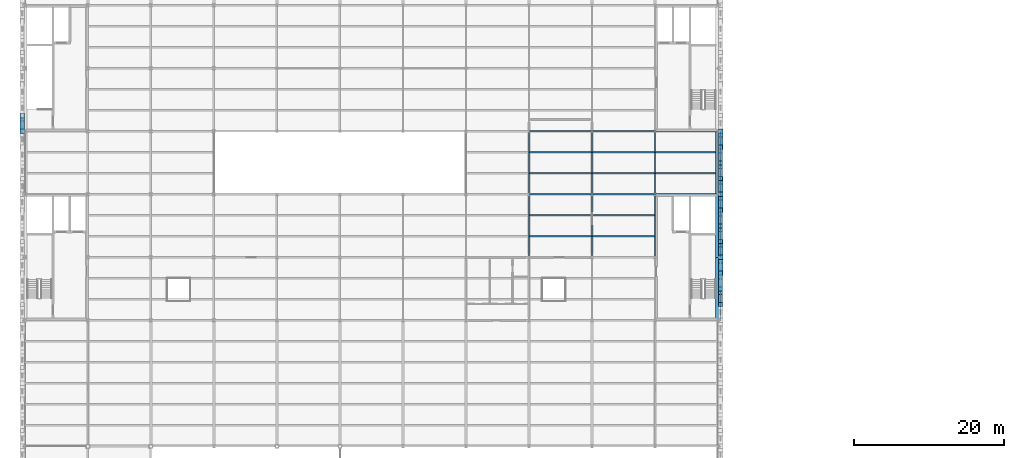
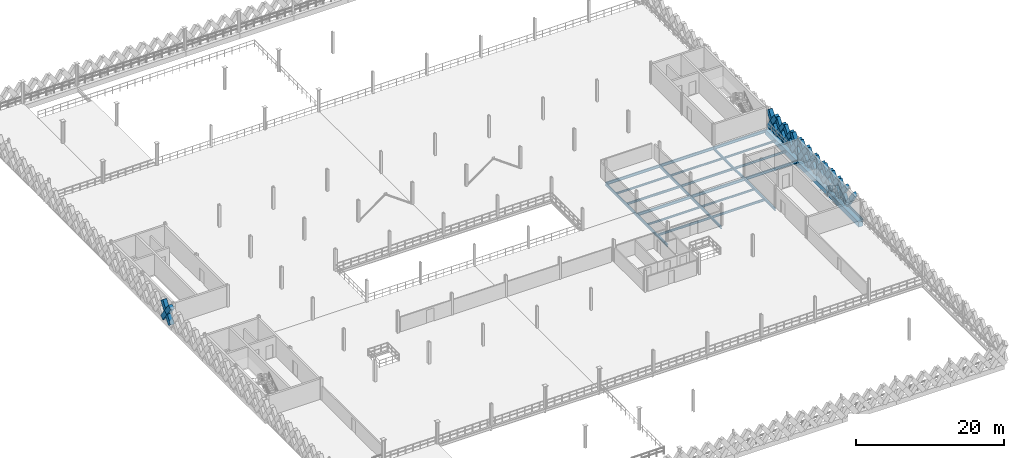
# One storey, part 20 of 47: 38 members, 25 beams.
"""IFC4 building model written with IfcOpenShell, lengths in metres."""

from ifc_helpers import new_model, si_unit, direction, frame, origin, origin_2d, place, context, subcontext, project, spatial, rectangle, hollow_rectangle, i_section, extrude, material, material_profile, profile_set, type_object, element, save


model = new_model("IFC4")

# Units and contexts
model_context = context("Model", 3, precision=1e-05, world=origin(), true_north=direction((0.0, 1.0)))
body_context = subcontext(model_context, "Body", "Model", "MODEL_VIEW")
ifc_project = project(units=[si_unit("LENGTHUNIT", "METRE"), si_unit("AREAUNIT", "SQUARE_METRE"), si_unit("VOLUMEUNIT", "CUBIC_METRE"), si_unit("PLANEANGLEUNIT", "RADIAN"), si_unit("MASSUNIT", "GRAM", prefix="KILO"), si_unit("THERMODYNAMICTEMPERATUREUNIT", "KELVIN"), si_unit("POWERUNIT", "WATT")], contexts=[model_context])

# Site, building, storey
site_placement = place(None, origin())
site = spatial("IfcSite", under=ifc_project, at=site_placement, CompositionType="ELEMENT")
building_placement = place(site_placement, origin())
building = spatial("IfcBuilding", under=site, at=building_placement, Name="Tembeka Court Mobility Hub", CompositionType="ELEMENT")
storey_placement = place(building_placement, frame((0.0, 0.0, 19.800048828125)))
storey = spatial("IfcBuildingStorey", under=building, at=storey_placement, Name="L05", CompositionType="ELEMENT", Elevation=19.800048828125)

# Beams
ifc_material_1 = material(Name="Steel S355", Category="steel")
ifc_material_profile_1 = material_profile(ifc_material_1, i_section(OverallWidth=0.18994140625, OverallDepth=0.45703125, WebThickness=0.009033203125, FlangeThickness=0.014404296875, FilletRadius=0.01025390625, at=origin_2d()), Name="UKB 457x191x74")
ifc_profile_set_1 = profile_set([ifc_material_profile_1], Name="Steel S355")
beam_type_1 = type_object("IfcBeamType", Name="BM-B01", PredefinedType="BEAM", material=ifc_profile_set_1)
beam_1_placement = place(storey_placement, frame((67.199951171875, 55.199951171875, -0.448486328125), z_axis=(1.0, 0.0, 0.0), x_axis=(0.0, 1.0, 0.0)))
element("IfcBeam", 1, at=beam_1_placement, inside=storey, type_object=beam_type_1, Name="Beam B01 (BM-L05-X2719)", PredefinedType="BEAM", context=body_context, shape_type="SweptSolid", body=[
    extrude(i_section(OverallWidth=0.18994140625, OverallDepth=0.45703125, WebThickness=0.009033203125, FlangeThickness=0.014404296875, FilletRadius=0.01025390625, at=origin_2d()), origin(), (0.0, 0.0, 1.0), 8.400146484375),
])
for number, where, z_axis, x_axis, name in (
    (2, (75.60009765625, 55.199951171875, -0.448486328125), (1.0, 0.0, 0.0), (0.0, 1.0, 0.0), "Beam B01 (BM-L05-X2720)"),
    (3, (84.0, 55.199951171875, -0.448486328125), (1.0, 0.0, 0.0), (0.0, 1.0, 0.0), "Beam B01 (BM-L05-X2721)"),
):
    element("IfcBeam", number, at=place(storey_placement, frame(where, z_axis=z_axis, x_axis=x_axis)), inside=storey, type_object=beam_type_1, Name=name, PredefinedType="BEAM", context=body_context, shape_type="SweptSolid", body=[
        extrude(i_section(OverallWidth=0.18994140625, OverallDepth=0.45703125, WebThickness=0.009033203125, FlangeThickness=0.014404296875, FilletRadius=0.01025390625, at=origin_2d()), origin(), (0.0, 0.0, 1.0), 8.39990234375),
    ])
beam_2_placement = place(storey_placement, frame((67.199951171875, 63.60009765625, -0.448486328125), z_axis=(1.0, 0.0, 0.0), x_axis=(0.0, 1.0, 0.0)))
element("IfcBeam", 4, at=beam_2_placement, inside=storey, type_object=beam_type_1, Name="Beam B01 (BM-L05-X2730)", PredefinedType="BEAM", context=body_context, shape_type="SweptSolid", body=[
    extrude(i_section(OverallWidth=0.18994140625, OverallDepth=0.45703125, WebThickness=0.009033203125, FlangeThickness=0.014404296875, FilletRadius=0.01025390625, at=origin_2d()), origin(), (0.0, 0.0, 1.0), 8.400146484375),
])
for number, where, z_axis, x_axis, name in (
    (5, (75.60009765625, 63.60009765625, -0.448486328125), (1.0, 0.0, 0.0), (0.0, 1.0, 0.0), "Beam B01 (BM-L05-X2731)"),
    (6, (84.0, 63.60009765625, -0.448486328125), (1.0, 0.0, 0.0), (0.0, 1.0, 0.0), "Beam B01 (BM-L05-X2732)"),
):
    element("IfcBeam", number, at=place(storey_placement, frame(where, z_axis=z_axis, x_axis=x_axis)), inside=storey, type_object=beam_type_1, Name=name, PredefinedType="BEAM", context=body_context, shape_type="SweptSolid", body=[
        extrude(i_section(OverallWidth=0.18994140625, OverallDepth=0.45703125, WebThickness=0.009033203125, FlangeThickness=0.014404296875, FilletRadius=0.01025390625, at=origin_2d()), origin(), (0.0, 0.0, 1.0), 8.39990234375),
    ])
ifc_material_profile_2 = material_profile(ifc_material_1, i_section(OverallWidth=0.177978515625, OverallDepth=0.406005859375, WebThickness=0.0078125, FlangeThickness=0.0126953125, FilletRadius=0.01025390625, at=origin_2d()), Name="UKB 406x178x60")
ifc_profile_set_2 = profile_set([ifc_material_profile_2], Name="Steel S355")
beam_type_2 = type_object("IfcBeamType", Name="BM-B02", PredefinedType="BEAM", material=ifc_profile_set_2)
beam_3_placement = place(storey_placement, frame((67.199951171875, 46.800048828125, -0.423095703125), z_axis=(0.0, 1.0, 0.0), x_axis=(-1.0, 0.0, 0.0)))
element("IfcBeam", 7, at=beam_3_placement, inside=storey, type_object=beam_type_2, Name="Beam B02 (BM-L05-Y2843)", PredefinedType="BEAM", context=body_context, shape_type="SweptSolid", body=[
    extrude(i_section(OverallWidth=0.177978515625, OverallDepth=0.406005859375, WebThickness=0.0078125, FlangeThickness=0.0126953125, FilletRadius=0.01025390625, at=origin_2d()), origin(), (0.0, 0.0, 1.0), 8.39990234375),
])
beam_4_placement = place(storey_placement, frame((67.199951171875, 55.199951171875, -0.423095703125), z_axis=(0.0, 1.0, 0.0), x_axis=(-1.0, 0.0, 0.0)))
element("IfcBeam", 8, at=beam_4_placement, inside=storey, type_object=beam_type_2, Name="Beam B02 (BM-L05-Y2844)", PredefinedType="BEAM", context=body_context, shape_type="SweptSolid", body=[
    extrude(i_section(OverallWidth=0.177978515625, OverallDepth=0.406005859375, WebThickness=0.0078125, FlangeThickness=0.0126953125, FilletRadius=0.01025390625, at=origin_2d()), origin(), (0.0, 0.0, 1.0), 8.400146484375),
])
beam_5_placement = place(storey_placement, frame((75.60009765625, 46.800048828125, -0.423095703125), z_axis=(0.0, 1.0, 0.0), x_axis=(-1.0, 0.0, 0.0)))
element("IfcBeam", 9, at=beam_5_placement, inside=storey, type_object=beam_type_2, Name="Beam B02 (BM-L05-Y2850)", PredefinedType="BEAM", context=body_context, shape_type="SweptSolid", body=[
    extrude(i_section(OverallWidth=0.177978515625, OverallDepth=0.406005859375, WebThickness=0.0078125, FlangeThickness=0.0126953125, FilletRadius=0.01025390625, at=origin_2d()), origin(), (0.0, 0.0, 1.0), 8.39990234375),
])
beam_6_placement = place(storey_placement, frame((75.60009765625, 55.199951171875, -0.423095703125), z_axis=(0.0, 1.0, 0.0), x_axis=(-1.0, 0.0, 0.0)))
element("IfcBeam", 10, at=beam_6_placement, inside=storey, type_object=beam_type_2, Name="Beam B02 (BM-L05-Y2851)", PredefinedType="BEAM", context=body_context, shape_type="SweptSolid", body=[
    extrude(i_section(OverallWidth=0.177978515625, OverallDepth=0.406005859375, WebThickness=0.0078125, FlangeThickness=0.0126953125, FilletRadius=0.01025390625, at=origin_2d()), origin(), (0.0, 0.0, 1.0), 8.400146484375),
])
beam_7_placement = place(storey_placement, frame((84.0, 46.800048828125, -0.423095703125), z_axis=(0.0, 1.0, 0.0), x_axis=(-1.0, 0.0, 0.0)))
element("IfcBeam", 11, at=beam_7_placement, inside=storey, type_object=beam_type_2, Name="Beam B02 (BM-L05-Y2857)", PredefinedType="BEAM", context=body_context, shape_type="SweptSolid", body=[
    extrude(i_section(OverallWidth=0.177978515625, OverallDepth=0.406005859375, WebThickness=0.0078125, FlangeThickness=0.0126953125, FilletRadius=0.01025390625, at=origin_2d()), origin(), (0.0, 0.0, 1.0), 8.39990234375),
])
beam_8_placement = place(storey_placement, frame((84.0, 55.199951171875, -0.423095703125), z_axis=(0.0, 1.0, 0.0), x_axis=(-1.0, 0.0, 0.0)))
element("IfcBeam", 12, at=beam_8_placement, inside=storey, type_object=beam_type_2, Name="Beam B02 (BM-L05-Y2858)", PredefinedType="BEAM", context=body_context, shape_type="SweptSolid", body=[
    extrude(i_section(OverallWidth=0.177978515625, OverallDepth=0.406005859375, WebThickness=0.0078125, FlangeThickness=0.0126953125, FilletRadius=0.01025390625, at=origin_2d()), origin(), (0.0, 0.0, 1.0), 8.400146484375),
])
ifc_material_profile_3 = material_profile(ifc_material_1, i_section(OverallWidth=0.1650390625, OverallDepth=0.303955078125, WebThickness=0.006103515625, FlangeThickness=0.01025390625, FilletRadius=0.0087890625, at=origin_2d()), Name="UKB 305x165x40")
ifc_profile_set_3 = profile_set([ifc_material_profile_3], Name="Steel S355")
beam_type_3 = type_object("IfcBeamType", Name="BM-J02", PredefinedType="JOIST", material=ifc_profile_set_3)
for number, where, z_axis, x_axis, name in (
    (13, (67.283935546875, 52.39990234375, -0.3720703125), (1.0, 0.0, 0.0), (0.0, 1.0, 0.0), "Beam J02 (JST-L05-3033)"),
    (14, (67.283935546875, 60.800048828125, -0.3720703125), (1.0, 0.0, 0.0), (0.0, 1.0, 0.0), "Beam J02 (JST-L05-3035)"),
):
    element("IfcBeam", number, at=place(storey_placement, frame(where, z_axis=z_axis, x_axis=x_axis)), inside=storey, type_object=beam_type_3, Name=name, PredefinedType="JOIST", context=body_context, shape_type="SweptSolid", body=[
        extrude(i_section(OverallWidth=0.1650390625, OverallDepth=0.303955078125, WebThickness=0.006103515625, FlangeThickness=0.01025390625, FilletRadius=0.0087890625, at=origin_2d()), origin(), (0.0, 0.0, 1.0), 8.232177734375),
    ])
for number, where, z_axis, x_axis, name in (
    (15, (75.68408203125, 52.39990234375, -0.3720703125), (1.0, 0.0, 0.0), (0.0, 1.0, 0.0), "Beam J02 (JST-L05-3053)"),
    (16, (75.68408203125, 60.800048828125, -0.3720703125), (1.0, 0.0, 0.0), (0.0, 1.0, 0.0), "Beam J02 (JST-L05-3055)"),
):
    element("IfcBeam", number, at=place(storey_placement, frame(where, z_axis=z_axis, x_axis=x_axis)), inside=storey, type_object=beam_type_3, Name=name, PredefinedType="JOIST", context=body_context, shape_type="SweptSolid", body=[
        extrude(i_section(OverallWidth=0.1650390625, OverallDepth=0.303955078125, WebThickness=0.006103515625, FlangeThickness=0.01025390625, FilletRadius=0.0087890625, at=origin_2d()), origin(), (0.0, 0.0, 1.0), 8.23193359375),
    ])
beam_9_placement = place(storey_placement, frame((84.083984375, 60.800048828125, -0.3720703125), z_axis=(1.0, 0.0, 0.0), x_axis=(0.0, 1.0, 0.0)))
element("IfcBeam", 17, at=beam_9_placement, inside=storey, type_object=beam_type_3, Name="Beam J02 (JST-L05-3071)", PredefinedType="JOIST", context=body_context, shape_type="SweptSolid", body=[
    extrude(i_section(OverallWidth=0.1650390625, OverallDepth=0.303955078125, WebThickness=0.006103515625, FlangeThickness=0.01025390625, FilletRadius=0.0087890625, at=origin_2d()), origin(), (0.0, 0.0, 1.0), 7.99609375),
])
ifc_material_profile_4 = material_profile(ifc_material_1, i_section(OverallWidth=0.169921875, OverallDepth=0.360107421875, WebThickness=0.008056640625, FlangeThickness=0.0126953125, FilletRadius=0.01806640625, at=origin_2d()), Name="IPE 360")
ifc_profile_set_4 = profile_set([ifc_material_profile_4], Name="Steel S355")
beam_type_4 = type_object("IfcBeamType", Name="BM-J03", PredefinedType="JOIST", material=ifc_profile_set_4)
for number, where, z_axis, x_axis, name in (
    (18, (67.283935546875, 49.60009765625, -0.400146484375), (1.0, 0.0, 0.0), (0.0, 1.0, 0.0), "Beam J03 (JST-L05-3032)"),
    (19, (67.283935546875, 58.0, -0.400146484375), (1.0, 0.0, 0.0), (0.0, 1.0, 0.0), "Beam J03 (JST-L05-3034)"),
):
    element("IfcBeam", number, at=place(storey_placement, frame(where, z_axis=z_axis, x_axis=x_axis)), inside=storey, type_object=beam_type_4, Name=name, PredefinedType="JOIST", context=body_context, shape_type="SweptSolid", body=[
        extrude(i_section(OverallWidth=0.169921875, OverallDepth=0.360107421875, WebThickness=0.008056640625, FlangeThickness=0.0126953125, FilletRadius=0.01806640625, at=origin_2d()), origin(), (0.0, 0.0, 1.0), 8.232177734375),
    ])
for number, where, z_axis, x_axis, name in (
    (20, (75.68408203125, 49.60009765625, -0.400146484375), (1.0, 0.0, 0.0), (0.0, 1.0, 0.0), "Beam J03 (JST-L05-3052)"),
    (21, (75.68408203125, 58.0, -0.400146484375), (1.0, 0.0, 0.0), (0.0, 1.0, 0.0), "Beam J03 (JST-L05-3054)"),
):
    element("IfcBeam", number, at=place(storey_placement, frame(where, z_axis=z_axis, x_axis=x_axis)), inside=storey, type_object=beam_type_4, Name=name, PredefinedType="JOIST", context=body_context, shape_type="SweptSolid", body=[
        extrude(i_section(OverallWidth=0.169921875, OverallDepth=0.360107421875, WebThickness=0.008056640625, FlangeThickness=0.0126953125, FilletRadius=0.01806640625, at=origin_2d()), origin(), (0.0, 0.0, 1.0), 8.23193359375),
    ])
beam_10_placement = place(storey_placement, frame((84.083984375, 58.0, -0.400146484375), z_axis=(1.0, 0.0, 0.0), x_axis=(0.0, 1.0, 0.0)))
element("IfcBeam", 22, at=beam_10_placement, inside=storey, type_object=beam_type_4, Name="Beam J03 (JST-L05-3070)", PredefinedType="JOIST", context=body_context, shape_type="SweptSolid", body=[
    extrude(i_section(OverallWidth=0.169921875, OverallDepth=0.360107421875, WebThickness=0.008056640625, FlangeThickness=0.0126953125, FilletRadius=0.01806640625, at=origin_2d()), origin(), (0.0, 0.0, 1.0), 7.99609375),
])
ifc_material_2 = material(Name="Precast concrete C45/55", Category="concrete")
ifc_material_profile_5 = material_profile(ifc_material_2, rectangle(XDim=0.64990234375, YDim=0.800048828125, at=origin_2d()), Name="PC-SP 650x800")
ifc_profile_set_5 = profile_set([ifc_material_profile_5], Name="Precast concrete C45/55")
beam_type_5 = type_object("IfcBeamType", Name="BM-SP01", PredefinedType="SPANDREL", material=ifc_profile_set_5)
beam_11_placement = place(storey_placement, frame((92.39990234375, 38.39990234375, -0.6201171875), z_axis=(0.0, 1.0, 0.0), x_axis=(-1.0, 0.0, 0.0)))
element("IfcBeam", 23, at=beam_11_placement, inside=storey, type_object=beam_type_5, Name="Beam SP01 (BM-L05-Y2865)", PredefinedType="SPANDREL", context=body_context, shape_type="SweptSolid", body=[
    extrude(rectangle(XDim=0.64990234375, YDim=0.800048828125, at=origin_2d()), origin(), (0.0, 0.0, 1.0), 8.400146484375),
])
beam_12_placement = place(storey_placement, frame((92.39990234375, 46.800048828125, -0.6201171875), z_axis=(0.0, 1.0, 0.0), x_axis=(-1.0, 0.0, 0.0)))
element("IfcBeam", 24, at=beam_12_placement, inside=storey, type_object=beam_type_5, Name="Beam SP01 (BM-L05-Y2866)", PredefinedType="SPANDREL", context=body_context, shape_type="SweptSolid", body=[
    extrude(rectangle(XDim=0.64990234375, YDim=0.800048828125, at=origin_2d()), origin(), (0.0, 0.0, 1.0), 8.39990234375),
])
beam_13_placement = place(storey_placement, frame((92.39990234375, 55.199951171875, -0.6201171875), z_axis=(0.0, 1.0, 0.0), x_axis=(-1.0, 0.0, 0.0)))
element("IfcBeam", 25, at=beam_13_placement, inside=storey, type_object=beam_type_5, Name="Beam SP01 (BM-L05-Y2867)", PredefinedType="SPANDREL", context=body_context, shape_type="SweptSolid", body=[
    extrude(rectangle(XDim=0.64990234375, YDim=0.800048828125, at=origin_2d()), origin(), (0.0, 0.0, 1.0), 8.400146484375),
])

# Members
ifc_material_profile_6 = material_profile(ifc_material_2, rectangle(XDim=0.5, YDim=0.64990234375, at=origin_2d()), Name="PC-DIAG 500x650")
ifc_profile_set_6 = profile_set([ifc_material_profile_6], Name="Precast concrete C45/55")
member_type_1 = type_object("IfcMemberType", Name="MEM-DL01", PredefinedType="BRACE", material=ifc_profile_set_6)
member_1_placement = place(storey_placement, frame((92.739990234375, 42.60009765625, 0.02001953125), z_axis=(0.0, -0.582608431711, 0.812752985414), x_axis=(1.0, 0.0, 0.0)))
element("IfcMember", 26, at=member_1_placement, inside=storey, type_object=member_type_1, Name="Precast diamond lattice split lower strand DL01 (L05-952D1)", PredefinedType="BRACE", context=body_context, shape_type="SweptSolid", body=[
    extrude(rectangle(XDim=0.5, YDim=0.64990234375, at=origin_2d()), origin(), (0.0, 0.0, 1.0), 1.80224609375),
])
member_2_placement = place(storey_placement, frame((92.739990234375, 41.550048828125, 1.48486328125), z_axis=(0.0, -0.582544294934, 0.812798956963), x_axis=(1.0, 0.0, 0.0)))
element("IfcMember", 27, at=member_2_placement, inside=storey, type_object=member_type_1, Name="Precast diamond lattice split upper strand DL01 (L05-952D2)", PredefinedType="BRACE", context=body_context, shape_type="SweptSolid", body=[
    extrude(rectangle(XDim=0.5, YDim=0.64990234375, at=origin_2d()), origin(), (0.0, 0.0, 1.0), 1.802490234375),
])
member_3_placement = place(storey_placement, frame((92.739990234375, 42.60009765625, 0.02001953125), z_axis=(0.0, 0.58253161945, 0.812808041509), x_axis=(-1.0, 0.0, 0.0)))
element("IfcMember", 28, at=member_3_placement, inside=storey, type_object=member_type_1, Name="Precast diamond lattice continuous strand DL01 (L05-953C)", PredefinedType="BRACE", context=body_context, shape_type="SweptSolid", body=[
    extrude(rectangle(XDim=0.5, YDim=0.64990234375, at=origin_2d()), origin(), (0.0, 0.0, 1.0), 3.604736328125),
])
member_4_placement = place(storey_placement, frame((92.739990234375, 44.699951171875, 0.02001953125), z_axis=(0.0, -0.582608431711, 0.812752985414), x_axis=(1.0, 0.0, 0.0)))
element("IfcMember", 29, at=member_4_placement, inside=storey, type_object=member_type_1, Name="Precast diamond lattice split lower strand DL01 (L05-953D1)", PredefinedType="BRACE", context=body_context, shape_type="SweptSolid", body=[
    extrude(rectangle(XDim=0.5, YDim=0.64990234375, at=origin_2d()), origin(), (0.0, 0.0, 1.0), 1.80224609375),
])
member_5_placement = place(storey_placement, frame((92.739990234375, 43.64990234375, 1.48486328125), z_axis=(0.0, -0.582454804382, 0.812863088627), x_axis=(1.0, 0.0, 0.0)))
element("IfcMember", 30, at=member_5_placement, inside=storey, type_object=member_type_1, Name="Precast diamond lattice split upper strand DL01 (L05-953D2)", PredefinedType="BRACE", context=body_context, shape_type="SweptSolid", body=[
    extrude(rectangle(XDim=0.5, YDim=0.64990234375, at=origin_2d()), origin(), (0.0, 0.0, 1.0), 1.802490234375),
])
member_6_placement = place(storey_placement, frame((92.739990234375, 48.89990234375, 0.02001953125), z_axis=(0.0, 0.582576362011, 0.812775973086), x_axis=(-1.0, 0.0, 0.0)))
element("IfcMember", 31, at=member_6_placement, inside=storey, type_object=member_type_1, Name="Precast diamond lattice continuous strand DL01 (L05-956C)", PredefinedType="BRACE", context=body_context, shape_type="SweptSolid", body=[
    extrude(rectangle(XDim=0.5, YDim=0.64990234375, at=origin_2d()), origin(), (0.0, 0.0, 1.0), 3.604736328125),
])
member_7_placement = place(storey_placement, frame((92.739990234375, 51.0, 0.02001953125), z_axis=(0.0, -0.582608431711, 0.812752985414), x_axis=(1.0, 0.0, 0.0)))
element("IfcMember", 32, at=member_7_placement, inside=storey, type_object=member_type_1, Name="Precast diamond lattice split lower strand DL01 (L05-956D1)", PredefinedType="BRACE", context=body_context, shape_type="SweptSolid", body=[
    extrude(rectangle(XDim=0.5, YDim=0.64990234375, at=origin_2d()), origin(), (0.0, 0.0, 1.0), 1.80224609375),
])
member_8_placement = place(storey_placement, frame((92.739990234375, 49.949951171875, 1.48486328125), z_axis=(0.0, -0.582544294934, 0.812798956963), x_axis=(1.0, 0.0, 0.0)))
element("IfcMember", 33, at=member_8_placement, inside=storey, type_object=member_type_1, Name="Precast diamond lattice split upper strand DL01 (L05-956D2)", PredefinedType="BRACE", context=body_context, shape_type="SweptSolid", body=[
    extrude(rectangle(XDim=0.5, YDim=0.64990234375, at=origin_2d()), origin(), (0.0, 0.0, 1.0), 1.802490234375),
])
member_9_placement = place(storey_placement, frame((92.739990234375, 51.0, 0.02001953125), z_axis=(0.0, 0.582576362011, 0.812775973086), x_axis=(-1.0, 0.0, 0.0)))
element("IfcMember", 34, at=member_9_placement, inside=storey, type_object=member_type_1, Name="Precast diamond lattice continuous strand DL01 (L05-957C)", PredefinedType="BRACE", context=body_context, shape_type="SweptSolid", body=[
    extrude(rectangle(XDim=0.5, YDim=0.64990234375, at=origin_2d()), origin(), (0.0, 0.0, 1.0), 3.604736328125),
])
member_10_placement = place(storey_placement, frame((92.739990234375, 53.10009765625, 0.02001953125), z_axis=(0.0, -0.582608431711, 0.812752985414), x_axis=(1.0, 0.0, 0.0)))
element("IfcMember", 35, at=member_10_placement, inside=storey, type_object=member_type_1, Name="Precast diamond lattice split lower strand DL01 (L05-957D1)", PredefinedType="BRACE", context=body_context, shape_type="SweptSolid", body=[
    extrude(rectangle(XDim=0.5, YDim=0.64990234375, at=origin_2d()), origin(), (0.0, 0.0, 1.0), 1.80224609375),
])
member_11_placement = place(storey_placement, frame((92.739990234375, 52.050048828125, 1.48486328125), z_axis=(0.0, -0.582544294934, 0.812798956963), x_axis=(1.0, 0.0, 0.0)))
element("IfcMember", 36, at=member_11_placement, inside=storey, type_object=member_type_1, Name="Precast diamond lattice split upper strand DL01 (L05-957D2)", PredefinedType="BRACE", context=body_context, shape_type="SweptSolid", body=[
    extrude(rectangle(XDim=0.5, YDim=0.64990234375, at=origin_2d()), origin(), (0.0, 0.0, 1.0), 1.802490234375),
])
member_12_placement = place(storey_placement, frame((92.739990234375, 57.300048828125, 0.02001953125), z_axis=(0.0, 0.58253161945, 0.812808041509), x_axis=(-1.0, 0.0, 0.0)))
element("IfcMember", 37, at=member_12_placement, inside=storey, type_object=member_type_1, Name="Precast diamond lattice continuous strand DL01 (L05-960C)", PredefinedType="BRACE", context=body_context, shape_type="SweptSolid", body=[
    extrude(rectangle(XDim=0.5, YDim=0.64990234375, at=origin_2d()), origin(), (0.0, 0.0, 1.0), 3.604736328125),
])
member_13_placement = place(storey_placement, frame((92.739990234375, 59.39990234375, 0.02001953125), z_axis=(0.0, -0.582518941428, 0.812817127574), x_axis=(1.0, 0.0, 0.0)))
element("IfcMember", 38, at=member_13_placement, inside=storey, type_object=member_type_1, Name="Precast diamond lattice split lower strand DL01 (L05-960D1)", PredefinedType="BRACE", context=body_context, shape_type="SweptSolid", body=[
    extrude(rectangle(XDim=0.5, YDim=0.64990234375, at=origin_2d()), origin(), (0.0, 0.0, 1.0), 1.80224609375),
])
member_14_placement = place(storey_placement, frame((92.739990234375, 58.35009765625, 1.48486328125), z_axis=(0.0, -0.582544294934, 0.812798956963), x_axis=(1.0, 0.0, 0.0)))
element("IfcMember", 39, at=member_14_placement, inside=storey, type_object=member_type_1, Name="Precast diamond lattice split upper strand DL01 (L05-960D2)", PredefinedType="BRACE", context=body_context, shape_type="SweptSolid", body=[
    extrude(rectangle(XDim=0.5, YDim=0.64990234375, at=origin_2d()), origin(), (0.0, 0.0, 1.0), 1.802490234375),
])
member_15_placement = place(storey_placement, frame((92.739990234375, 59.39990234375, 0.02001953125), z_axis=(0.0, 0.582576362011, 0.812775973086), x_axis=(-1.0, 0.0, 0.0)))
element("IfcMember", 40, at=member_15_placement, inside=storey, type_object=member_type_1, Name="Precast diamond lattice continuous strand DL01 (L05-961C)", PredefinedType="BRACE", context=body_context, shape_type="SweptSolid", body=[
    extrude(rectangle(XDim=0.5, YDim=0.64990234375, at=origin_2d()), origin(), (0.0, 0.0, 1.0), 3.604736328125),
])
member_16_placement = place(storey_placement, frame((92.739990234375, 61.5, 0.02001953125), z_axis=(0.0, -0.582608431711, 0.812752985414), x_axis=(1.0, 0.0, 0.0)))
element("IfcMember", 41, at=member_16_placement, inside=storey, type_object=member_type_1, Name="Precast diamond lattice split lower strand DL01 (L05-961D1)", PredefinedType="BRACE", context=body_context, shape_type="SweptSolid", body=[
    extrude(rectangle(XDim=0.5, YDim=0.64990234375, at=origin_2d()), origin(), (0.0, 0.0, 1.0), 1.80224609375),
])
member_17_placement = place(storey_placement, frame((92.739990234375, 60.449951171875, 1.48486328125), z_axis=(0.0, -0.582544294934, 0.812798956963), x_axis=(1.0, 0.0, 0.0)))
element("IfcMember", 42, at=member_17_placement, inside=storey, type_object=member_type_1, Name="Precast diamond lattice split upper strand DL01 (L05-961D2)", PredefinedType="BRACE", context=body_context, shape_type="SweptSolid", body=[
    extrude(rectangle(XDim=0.5, YDim=0.64990234375, at=origin_2d()), origin(), (0.0, 0.0, 1.0), 1.802490234375),
])
ifc_material_profile_7 = material_profile(ifc_material_2, rectangle(XDim=0.60009765625, YDim=0.75, at=origin_2d()), Name="PC-DIAG 600x750")
ifc_profile_set_7 = profile_set([ifc_material_profile_7], Name="Precast concrete C45/55")
member_type_2 = type_object("IfcMemberType", Name="MEM-DL02", PredefinedType="BRACE", material=ifc_profile_set_7)
member_18_placement = place(storey_placement, frame((-0.340087890625, 63.60009765625, 0.02001953125), z_axis=(0.0, 0.58253161945, 0.812808041509), x_axis=(-1.0, 0.0, 0.0)))
element("IfcMember", 43, at=member_18_placement, inside=storey, type_object=member_type_2, Name="Precast diamond lattice continuous strand DL02 (L05-907C)", PredefinedType="BRACE", context=body_context, shape_type="SweptSolid", body=[
    extrude(rectangle(XDim=0.60009765625, YDim=0.75, at=origin_2d()), origin(), (0.0, 0.0, 1.0), 3.604736328125),
])
member_19_placement = place(storey_placement, frame((-0.340087890625, 65.699951171875, 0.02001953125), z_axis=(0.0, -0.582608431711, 0.812752985414), x_axis=(1.0, 0.0, 0.0)))
element("IfcMember", 44, at=member_19_placement, inside=storey, type_object=member_type_2, Name="Precast diamond lattice split lower strand DL02 (L05-907D1)", PredefinedType="BRACE", context=body_context, shape_type="SweptSolid", body=[
    extrude(rectangle(XDim=0.60009765625, YDim=0.75, at=origin_2d()), origin(), (0.0, 0.0, 1.0), 1.80224609375),
])
member_20_placement = place(storey_placement, frame((-0.340087890625, 64.64990234375, 1.48486328125), z_axis=(0.0, -0.582454804382, 0.812863088627), x_axis=(1.0, 0.0, 0.0)))
element("IfcMember", 45, at=member_20_placement, inside=storey, type_object=member_type_2, Name="Precast diamond lattice split upper strand DL02 (L05-907D2)", PredefinedType="BRACE", context=body_context, shape_type="SweptSolid", body=[
    extrude(rectangle(XDim=0.60009765625, YDim=0.75, at=origin_2d()), origin(), (0.0, 0.0, 1.0), 1.802490234375),
])
member_21_placement = place(storey_placement, frame((92.739990234375, 44.699951171875, 0.02001953125), z_axis=(0.0, 0.582576362011, 0.812775973086), x_axis=(-1.0, 0.0, 0.0)))
element("IfcMember", 46, at=member_21_placement, inside=storey, type_object=member_type_2, Name="Precast diamond lattice continuous strand DL02 (L05-954C)", PredefinedType="BRACE", context=body_context, shape_type="SweptSolid", body=[
    extrude(rectangle(XDim=0.60009765625, YDim=0.75, at=origin_2d()), origin(), (0.0, 0.0, 1.0), 3.604736328125),
])
member_22_placement = place(storey_placement, frame((92.739990234375, 46.800048828125, 0.02001953125), z_axis=(0.0, -0.582608431711, 0.812752985414), x_axis=(1.0, 0.0, 0.0)))
element("IfcMember", 47, at=member_22_placement, inside=storey, type_object=member_type_2, Name="Precast diamond lattice split lower strand DL02 (L05-954D1)", PredefinedType="BRACE", context=body_context, shape_type="SweptSolid", body=[
    extrude(rectangle(XDim=0.60009765625, YDim=0.75, at=origin_2d()), origin(), (0.0, 0.0, 1.0), 1.80224609375),
])
member_23_placement = place(storey_placement, frame((92.739990234375, 45.75, 1.48486328125), z_axis=(0.0, -0.582544294934, 0.812798956963), x_axis=(1.0, 0.0, 0.0)))
element("IfcMember", 48, at=member_23_placement, inside=storey, type_object=member_type_2, Name="Precast diamond lattice split upper strand DL02 (L05-954D2)", PredefinedType="BRACE", context=body_context, shape_type="SweptSolid", body=[
    extrude(rectangle(XDim=0.60009765625, YDim=0.75, at=origin_2d()), origin(), (0.0, 0.0, 1.0), 1.802490234375),
])
member_24_placement = place(storey_placement, frame((92.739990234375, 46.800048828125, 0.02001953125), z_axis=(0.0, 0.58253161945, 0.812808041509), x_axis=(-1.0, 0.0, 0.0)))
element("IfcMember", 49, at=member_24_placement, inside=storey, type_object=member_type_2, Name="Precast diamond lattice continuous strand DL02 (L05-955C)", PredefinedType="BRACE", context=body_context, shape_type="SweptSolid", body=[
    extrude(rectangle(XDim=0.60009765625, YDim=0.75, at=origin_2d()), origin(), (0.0, 0.0, 1.0), 3.604736328125),
])
member_25_placement = place(storey_placement, frame((92.739990234375, 48.89990234375, 0.02001953125), z_axis=(0.0, -0.582518941428, 0.812817127574), x_axis=(1.0, 0.0, 0.0)))
element("IfcMember", 50, at=member_25_placement, inside=storey, type_object=member_type_2, Name="Precast diamond lattice split lower strand DL02 (L05-955D1)", PredefinedType="BRACE", context=body_context, shape_type="SweptSolid", body=[
    extrude(rectangle(XDim=0.60009765625, YDim=0.75, at=origin_2d()), origin(), (0.0, 0.0, 1.0), 1.80224609375),
])
member_26_placement = place(storey_placement, frame((92.739990234375, 47.85009765625, 1.48486328125), z_axis=(0.0, -0.582544294934, 0.812798956963), x_axis=(1.0, 0.0, 0.0)))
element("IfcMember", 51, at=member_26_placement, inside=storey, type_object=member_type_2, Name="Precast diamond lattice split upper strand DL02 (L05-955D2)", PredefinedType="BRACE", context=body_context, shape_type="SweptSolid", body=[
    extrude(rectangle(XDim=0.60009765625, YDim=0.75, at=origin_2d()), origin(), (0.0, 0.0, 1.0), 1.802490234375),
])
member_27_placement = place(storey_placement, frame((92.739990234375, 53.10009765625, 0.02001953125), z_axis=(0.0, 0.58253161945, 0.812808041509), x_axis=(-1.0, 0.0, 0.0)))
element("IfcMember", 52, at=member_27_placement, inside=storey, type_object=member_type_2, Name="Precast diamond lattice continuous strand DL02 (L05-958C)", PredefinedType="BRACE", context=body_context, shape_type="SweptSolid", body=[
    extrude(rectangle(XDim=0.60009765625, YDim=0.75, at=origin_2d()), origin(), (0.0, 0.0, 1.0), 3.604736328125),
])
member_28_placement = place(storey_placement, frame((92.739990234375, 55.199951171875, 0.02001953125), z_axis=(0.0, -0.582608431711, 0.812752985414), x_axis=(1.0, 0.0, 0.0)))
element("IfcMember", 53, at=member_28_placement, inside=storey, type_object=member_type_2, Name="Precast diamond lattice split lower strand DL02 (L05-958D1)", PredefinedType="BRACE", context=body_context, shape_type="SweptSolid", body=[
    extrude(rectangle(XDim=0.60009765625, YDim=0.75, at=origin_2d()), origin(), (0.0, 0.0, 1.0), 1.80224609375),
])
member_29_placement = place(storey_placement, frame((92.739990234375, 54.14990234375, 1.48486328125), z_axis=(0.0, -0.582454804382, 0.812863088627), x_axis=(1.0, 0.0, 0.0)))
element("IfcMember", 54, at=member_29_placement, inside=storey, type_object=member_type_2, Name="Precast diamond lattice split upper strand DL02 (L05-958D2)", PredefinedType="BRACE", context=body_context, shape_type="SweptSolid", body=[
    extrude(rectangle(XDim=0.60009765625, YDim=0.75, at=origin_2d()), origin(), (0.0, 0.0, 1.0), 1.802490234375),
])
member_30_placement = place(storey_placement, frame((92.739990234375, 55.199951171875, 0.02001953125), z_axis=(0.0, 0.582576362011, 0.812775973086), x_axis=(-1.0, 0.0, 0.0)))
element("IfcMember", 55, at=member_30_placement, inside=storey, type_object=member_type_2, Name="Precast diamond lattice continuous strand DL02 (L05-959C)", PredefinedType="BRACE", context=body_context, shape_type="SweptSolid", body=[
    extrude(rectangle(XDim=0.60009765625, YDim=0.75, at=origin_2d()), origin(), (0.0, 0.0, 1.0), 3.604736328125),
])
member_31_placement = place(storey_placement, frame((92.739990234375, 57.300048828125, 0.02001953125), z_axis=(0.0, -0.582608431711, 0.812752985414), x_axis=(1.0, 0.0, 0.0)))
element("IfcMember", 56, at=member_31_placement, inside=storey, type_object=member_type_2, Name="Precast diamond lattice split lower strand DL02 (L05-959D1)", PredefinedType="BRACE", context=body_context, shape_type="SweptSolid", body=[
    extrude(rectangle(XDim=0.60009765625, YDim=0.75, at=origin_2d()), origin(), (0.0, 0.0, 1.0), 1.80224609375),
])
member_32_placement = place(storey_placement, frame((92.739990234375, 56.25, 1.48486328125), z_axis=(0.0, -0.582544294934, 0.812798956963), x_axis=(1.0, 0.0, 0.0)))
element("IfcMember", 57, at=member_32_placement, inside=storey, type_object=member_type_2, Name="Precast diamond lattice split upper strand DL02 (L05-959D2)", PredefinedType="BRACE", context=body_context, shape_type="SweptSolid", body=[
    extrude(rectangle(XDim=0.60009765625, YDim=0.75, at=origin_2d()), origin(), (0.0, 0.0, 1.0), 1.802490234375),
])
member_33_placement = place(storey_placement, frame((92.739990234375, 61.5, 0.02001953125), z_axis=(0.0, 0.582576362011, 0.812775973086), x_axis=(-1.0, 0.0, 0.0)))
element("IfcMember", 58, at=member_33_placement, inside=storey, type_object=member_type_2, Name="Precast diamond lattice continuous strand DL02 (L05-962C)", PredefinedType="BRACE", context=body_context, shape_type="SweptSolid", body=[
    extrude(rectangle(XDim=0.60009765625, YDim=0.75, at=origin_2d()), origin(), (0.0, 0.0, 1.0), 3.604736328125),
])
member_34_placement = place(storey_placement, frame((92.739990234375, 63.60009765625, 0.02001953125), z_axis=(0.0, -0.582608431711, 0.812752985414), x_axis=(1.0, 0.0, 0.0)))
element("IfcMember", 59, at=member_34_placement, inside=storey, type_object=member_type_2, Name="Precast diamond lattice split lower strand DL02 (L05-962D1)", PredefinedType="BRACE", context=body_context, shape_type="SweptSolid", body=[
    extrude(rectangle(XDim=0.60009765625, YDim=0.75, at=origin_2d()), origin(), (0.0, 0.0, 1.0), 1.80224609375),
])
member_35_placement = place(storey_placement, frame((92.739990234375, 62.550048828125, 1.48486328125), z_axis=(0.0, -0.582544294934, 0.812798956963), x_axis=(1.0, 0.0, 0.0)))
element("IfcMember", 60, at=member_35_placement, inside=storey, type_object=member_type_2, Name="Precast diamond lattice split upper strand DL02 (L05-962D2)", PredefinedType="BRACE", context=body_context, shape_type="SweptSolid", body=[
    extrude(rectangle(XDim=0.60009765625, YDim=0.75, at=origin_2d()), origin(), (0.0, 0.0, 1.0), 1.802490234375),
])
ifc_material_profile_8 = material_profile(ifc_material_1, hollow_rectangle(XDim=0.14990234375, YDim=0.300048828125, WallThickness=0.010009765625, at=origin_2d()), Name="RHS 300x150x10")
ifc_profile_set_8 = profile_set([ifc_material_profile_8], Name="Steel S355")
member_type_3 = type_object("IfcMemberType", Name="MEM-ST03", PredefinedType="STRUT", material=ifc_profile_set_8)
member_36_placement = place(storey_placement, frame((92.739990234375, 38.39990234375, 0.02001953125), z_axis=(0.0, 1.0, 0.0), x_axis=(-1.0, 0.0, 0.0)))
element("IfcMember", 61, at=member_36_placement, inside=storey, type_object=member_type_3, Name="Proud lattice sill tie chord SR03 (L05-E-38)", PredefinedType="STRUT", context=body_context, shape_type="SweptSolid", body=[
    extrude(hollow_rectangle(XDim=0.14990234375, YDim=0.300048828125, WallThickness=0.010009765625, at=origin_2d()), origin(), (0.0, 0.0, 1.0), 8.400146484375),
])
member_37_placement = place(storey_placement, frame((92.739990234375, 46.800048828125, 0.02001953125), z_axis=(0.0, 1.0, 0.0), x_axis=(-1.0, 0.0, 0.0)))
element("IfcMember", 62, at=member_37_placement, inside=storey, type_object=member_type_3, Name="Proud lattice sill tie chord SR03 (L05-E-46)", PredefinedType="STRUT", context=body_context, shape_type="SweptSolid", body=[
    extrude(hollow_rectangle(XDim=0.14990234375, YDim=0.300048828125, WallThickness=0.010009765625, at=origin_2d()), origin(), (0.0, 0.0, 1.0), 8.39990234375),
])
member_38_placement = place(storey_placement, frame((92.739990234375, 55.199951171875, 0.02001953125), z_axis=(0.0, 1.0, 0.0), x_axis=(-1.0, 0.0, 0.0)))
element("IfcMember", 63, at=member_38_placement, inside=storey, type_object=member_type_3, Name="Proud lattice sill tie chord SR03 (L05-E-55)", PredefinedType="STRUT", context=body_context, shape_type="SweptSolid", body=[
    extrude(hollow_rectangle(XDim=0.14990234375, YDim=0.300048828125, WallThickness=0.010009765625, at=origin_2d()), origin(), (0.0, 0.0, 1.0), 8.400146484375),
])

save(model, "model.ifc")
